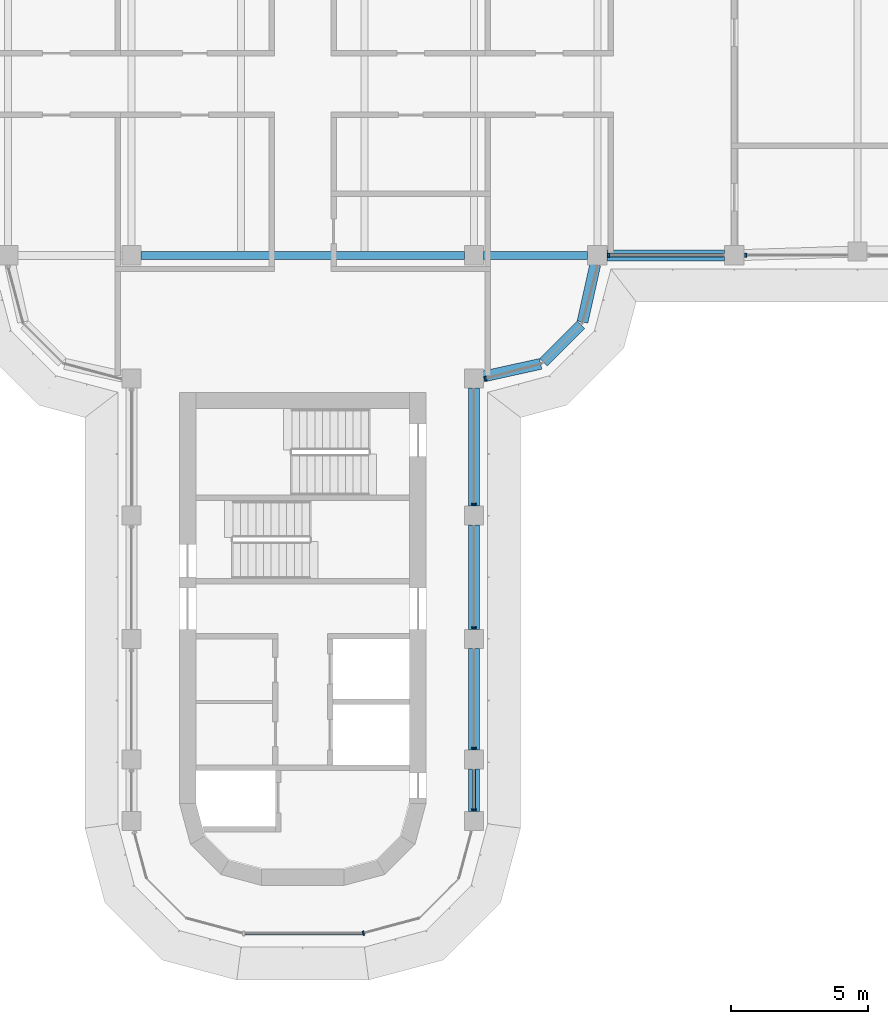
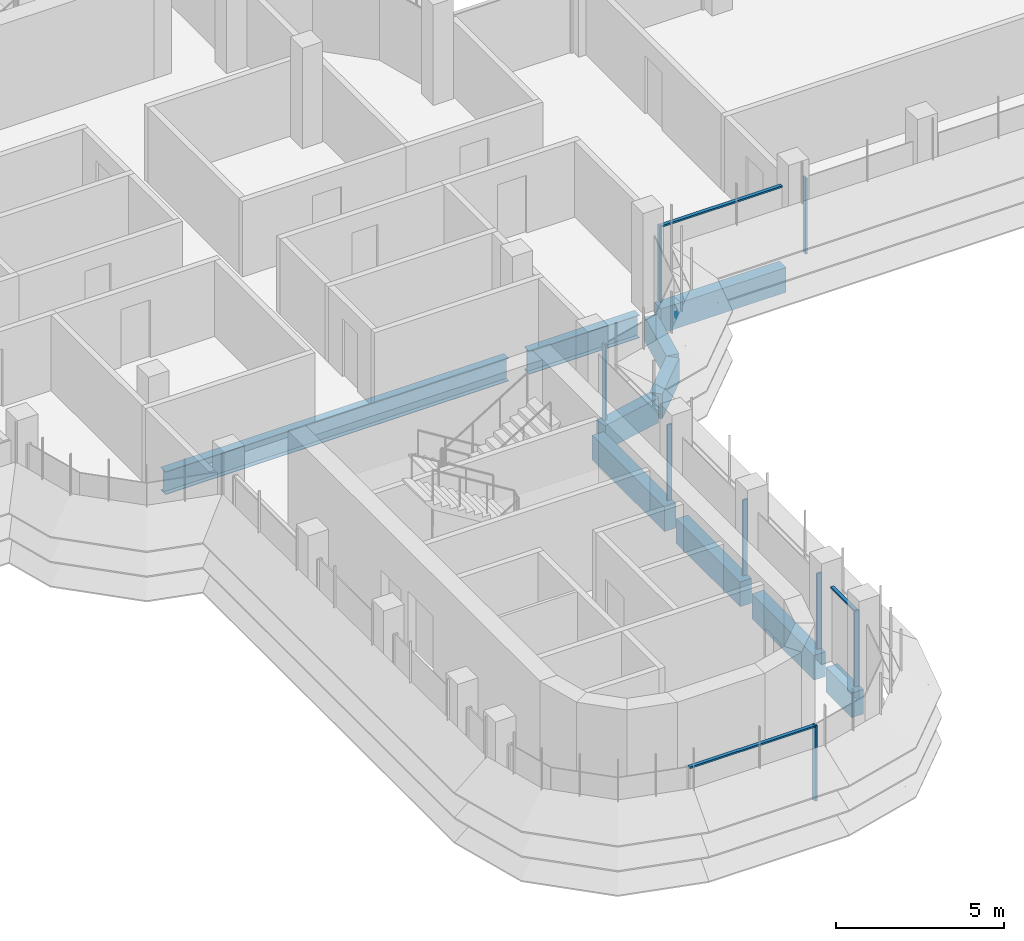
# One storey, part 4 of 19: 11 members, 10 beams, 5 elements without a shape of their own.
"""IFC4 building model written with IfcOpenShell, lengths in metres."""

from ifc_helpers import new_model, si_unit, direction, frame, origin, origin_2d, place, context, subcontext, project, spatial, polyline, rectangle, i_section, outline, extrude, source, transform, mapped, material, material_profile, profile_set, type_object, element, aggregate, save


model = new_model("IFC4")

# Units and contexts
model_context = context("Model", 3, precision=1e-05, world=origin(), true_north=direction((0.0, 1.0)))
body_context = subcontext(model_context, "Body", "Model", "MODEL_VIEW")
ifc_project = project(units=[si_unit("LENGTHUNIT", "METRE"), si_unit("AREAUNIT", "SQUARE_METRE"), si_unit("VOLUMEUNIT", "CUBIC_METRE"), si_unit("PLANEANGLEUNIT", "RADIAN"), si_unit("MASSUNIT", "GRAM", prefix="KILO")], contexts=[model_context])

# Site, building, storey
site_placement = place(None, origin())
site = spatial("IfcSite", under=ifc_project, at=site_placement, CompositionType="ELEMENT")
building_placement = place(site_placement, origin())
building = spatial("IfcBuilding", under=site, at=building_placement, Name="Zarbagh Exchange Tower", CompositionType="ELEMENT")
storey_placement = place(building_placement, frame((0.0, 0.0, 225.800048828125)))
storey = spatial("IfcBuildingStorey", under=building, at=storey_placement, Name="L55", CompositionType="ELEMENT", Elevation=225.800048828125)

# Beams
ifc_material_1 = material(Name="Steel ASTM A992 Gr 50", Category="steel")
ifc_material_profile_1 = material_profile(ifc_material_1, i_section(OverallWidth=0.2919921875, OverallDepth=0.835693359375, WebThickness=0.013916015625, FlangeThickness=0.018798828125, at=origin_2d()), Name="W33X118")
ifc_profile_set_1 = profile_set([ifc_material_profile_1], Name="Steel ASTM A992 Gr 50")
beam_type_1 = type_object("IfcBeamType", Name="Floor girder W33X118", PredefinedType="BEAM", material=ifc_profile_set_1)
beam_1_placement = place(storey_placement, frame((-5.89990234375, -6.25, -0.56787109375), z_axis=(1.0, 0.0, 0.0), x_axis=(0.0, 1.0, 0.0)))
element("IfcBeam", 1, at=beam_1_placement, inside=storey, type_object=beam_type_1, Name="Steel girder", PredefinedType="BEAM", context=body_context, shape_type="SweptSolid", body=[
    extrude(i_section(OverallWidth=0.2919921875, OverallDepth=0.835693359375, WebThickness=0.013916015625, FlangeThickness=0.018798828125, at=origin_2d()), origin(), (0.0, 0.0, 1.0), 11.7998046875),
])
beam_2_placement = place(storey_placement, frame((6.60009765625, -6.25, -0.56787109375), z_axis=(1.0, 0.0, 0.0), x_axis=(0.0, 1.0, 0.0)))
element("IfcBeam", 2, at=beam_2_placement, inside=storey, type_object=beam_type_1, Name="Steel girder", PredefinedType="BEAM", context=body_context, shape_type="SweptSolid", body=[
    extrude(i_section(OverallWidth=0.2919921875, OverallDepth=0.835693359375, WebThickness=0.013916015625, FlangeThickness=0.018798828125, at=origin_2d()), origin(), (0.0, 0.0, 1.0), 3.7998046875),
])
ifc_material_2 = material(Name="Concrete C50/60", Category="concrete")
ifc_material_profile_2 = material_profile(ifc_material_2, rectangle(XDim=0.39990234375, YDim=0.89990234375, at=origin_2d()), Name="RC spandrel beam 400 x 900 C50/60")
ifc_profile_set_2 = profile_set([ifc_material_profile_2], Name="Concrete C50/60")
beam_type_2 = type_object("IfcBeamType", Name="RC spandrel beam 400 x 900 C50/60", PredefinedType="SPANDREL", material=ifc_profile_set_2)
beam_3_placement = place(storey_placement, frame((15.39990234375, -6.25, -0.60009765625), z_axis=(-1.0, 0.0, 0.0), x_axis=(0.0, -1.0, 0.0)))
element("IfcBeam", 3, at=beam_3_placement, inside=storey, type_object=beam_type_2, Name="RC spandrel beam", PredefinedType="SPANDREL", context=body_context, shape_type="SweptSolid", body=[
    extrude(rectangle(XDim=0.39990234375, YDim=0.89990234375, at=origin_2d()), origin(), (0.0, 0.0, 1.0), 4.2998046875),
])
beam_4_placement = place(storey_placement, frame((10.67431640625, -6.591796875, -0.60009765625), z_axis=(-0.216013551096, -0.97639036545, 0.0), x_axis=(0.97639036545, -0.216013551096, 0.0)))
element("IfcBeam", 4, at=beam_4_placement, inside=storey, type_object=beam_type_2, Name="RC spandrel beam", PredefinedType="SPANDREL", context=body_context, shape_type="SweptSolid", body=[
    extrude(rectangle(XDim=0.39990234375, YDim=0.89990234375, at=origin_2d()), origin(), (0.0, 0.0, 1.0), 2.142822265625),
])
beam_5_placement = place(storey_placement, frame((10.15771484375, -8.782470703125, -0.60009765625), z_axis=(-0.707106781187, -0.707106781187, 0.0), x_axis=(0.707106781187, -0.707106781187, 0.0)))
element("IfcBeam", 5, at=beam_5_placement, inside=storey, type_object=beam_type_2, Name="RC spandrel beam", PredefinedType="SPANDREL", context=body_context, shape_type="SweptSolid", body=[
    extrude(rectangle(XDim=0.39990234375, YDim=0.89990234375, at=origin_2d()), origin(), (0.0, 0.0, 1.0), 1.94482421875),
])
beam_6_placement = place(storey_placement, frame((8.68408203125, -10.21142578125, -0.60009765625), z_axis=(-0.97639036545, -0.216013551096, 0.0), x_axis=(0.216013551096, -0.97639036545, 0.0)))
element("IfcBeam", 6, at=beam_6_placement, inside=storey, type_object=beam_type_2, Name="RC spandrel beam", PredefinedType="SPANDREL", context=body_context, shape_type="SweptSolid", body=[
    extrude(rectangle(XDim=0.39990234375, YDim=0.89990234375, at=origin_2d()), origin(), (0.0, 0.0, 1.0), 2.142822265625),
])
beam_7_placement = place(storey_placement, frame((6.25, -11.10009765625, -0.60009765625), z_axis=(0.0, -1.0, 0.0), x_axis=(1.0, 0.0, 0.0)))
element("IfcBeam", 7, at=beam_7_placement, inside=storey, type_object=beam_type_2, Name="RC spandrel beam", PredefinedType="SPANDREL", context=body_context, shape_type="SweptSolid", body=[
    extrude(rectangle(XDim=0.39990234375, YDim=0.89990234375, at=origin_2d()), origin(), (0.0, 0.0, 1.0), 4.2998046875),
])
beam_8_placement = place(storey_placement, frame((6.25, -16.10009765625, -0.60009765625), z_axis=(0.0, -1.0, 0.0), x_axis=(1.0, 0.0, 0.0)))
element("IfcBeam", 8, at=beam_8_placement, inside=storey, type_object=beam_type_2, Name="RC spandrel beam", PredefinedType="SPANDREL", context=body_context, shape_type="SweptSolid", body=[
    extrude(rectangle(XDim=0.39990234375, YDim=0.89990234375, at=origin_2d()), origin(), (0.0, 0.0, 1.0), 3.7998046875),
])
beam_9_placement = place(storey_placement, frame((6.25, -20.60009765625, -0.60009765625), z_axis=(0.0, -1.0, 0.0), x_axis=(1.0, 0.0, 0.0)))
element("IfcBeam", 9, at=beam_9_placement, inside=storey, type_object=beam_type_2, Name="RC spandrel beam", PredefinedType="SPANDREL", context=body_context, shape_type="SweptSolid", body=[
    extrude(rectangle(XDim=0.39990234375, YDim=0.89990234375, at=origin_2d()), origin(), (0.0, 0.0, 1.0), 3.699951171875),
])
beam_10_placement = place(storey_placement, frame((6.25, -25.0, -0.60009765625), z_axis=(0.0, -1.0, 0.0), x_axis=(1.0, 0.0, 0.0)))
element("IfcBeam", 10, at=beam_10_placement, inside=storey, type_object=beam_type_2, Name="RC spandrel beam", PredefinedType="SPANDREL", context=body_context, shape_type="SweptSolid", body=[
    extrude(rectangle(XDim=0.39990234375, YDim=0.89990234375, at=origin_2d()), origin(), (0.0, 0.0, 1.0), 1.550048828125),
])

# Curtain wall, member
ifc_material_3 = material(Name="Anodised aluminium frame and glazing", Category="aluminium")
curtain_wall_type = type_object("IfcCurtainWallType", Name="CWB Ribbon glazing, upper zones", PredefinedType="NOTDEFINED", material=ifc_material_3)
curtain_wall_1_placement = place(storey_placement, origin())
curtain_wall_1 = element("IfcCurtainWall", 11, at=curtain_wall_1_placement, inside=storey, type_object=curtain_wall_type, Name="CWB49 curtain wall", PredefinedType="NOTDEFINED")
ifc_material_4 = material(Name="Anodised aluminium frame", Category="aluminium")
member_type_1 = type_object("IfcMemberType", Name="MUB Mullion, anodised aluminium frame", PredefinedType="MULLION", material=ifc_material_4)
shared_shape_1 = source(origin(), body_context, "Body", "SweptSolid", [
    extrude(outline(polyline([(0.0, -0.080078125), (0.06005859375, -0.080078125), (0.06005859375, 0.080078125), (0.0, 0.080078125), (0.0, -0.080078125)])), origin(), (0.0, 0.0, 1.0), 2.75),
])
placement = place(storey_placement, origin())
member_1 = element("IfcMember", 12, at=placement, type_object=member_type_1, Name="CWB49 mullion 1.1", PredefinedType="MULLION", context=body_context, shape_type="MappedRepresentation", body=[
    mapped(shared_shape_1, transform((2.18408203125, -31.0, 0.0), x_axis=(0.965924289636, 0.258824779902, 0.0), y_axis=(-0.258824779902, 0.965924289636, 0.0), z_axis=(0.0, 0.0, 1.0))),
])
aggregate(curtain_wall_1, [member_1])

# Curtain wall, members
curtain_wall_2_placement = place(storey_placement, origin())
curtain_wall_2 = element("IfcCurtainWall", 13, at=curtain_wall_2_placement, inside=storey, type_object=curtain_wall_type, Name="CWB52 curtain wall", PredefinedType="NOTDEFINED")
member_2 = element("IfcMember", 14, at=placement, type_object=member_type_1, Name="CWB52 mullion 1.1", PredefinedType="MULLION", context=body_context, shape_type="MappedRepresentation", body=[
    mapped(shared_shape_1, transform((6.25, -26.510009765625, 0.0), x_axis=(0.0, 1.0, 0.0), y_axis=(-1.0, 0.0, 0.0), z_axis=(0.0, 0.0, 1.0))),
])
member_3 = element("IfcMember", 15, at=placement, type_object=member_type_1, Name="CWB52 mullion 2.1", PredefinedType="MULLION", context=body_context, shape_type="MappedRepresentation", body=[
    mapped(shared_shape_1, transform((6.25, -24.260009765625, 0.0), x_axis=(0.0, 1.0, 0.0), y_axis=(-1.0, 0.0, 0.0), z_axis=(0.0, 0.0, 1.0))),
])
member_4 = element("IfcMember", 16, at=placement, type_object=member_type_1, Name="CWB52 mullion 3.1", PredefinedType="MULLION", context=body_context, shape_type="MappedRepresentation", body=[
    mapped(shared_shape_1, transform((6.25, -19.85986328125, 0.0), x_axis=(0.0, 1.0, 0.0), y_axis=(-1.0, 0.0, 0.0), z_axis=(0.0, 0.0, 1.0))),
])
member_5 = element("IfcMember", 17, at=placement, type_object=member_type_1, Name="CWB52 mullion 4.1", PredefinedType="MULLION", context=body_context, shape_type="MappedRepresentation", body=[
    mapped(shared_shape_1, transform((6.25, -15.35986328125, 0.0), x_axis=(0.0, 1.0, 0.0), y_axis=(-1.0, 0.0, 0.0), z_axis=(0.0, 0.0, 1.0))),
])

# Curtain wall, member
curtain_wall_3_placement = place(storey_placement, origin())
curtain_wall_3 = element("IfcCurtainWall", 18, at=curtain_wall_3_placement, inside=storey, type_object=curtain_wall_type, Name="CWB05 curtain wall", PredefinedType="NOTDEFINED")
member_6 = element("IfcMember", 19, at=placement, type_object=member_type_1, Name="CWB05 mullion 1.1", PredefinedType="MULLION", context=body_context, shape_type="MappedRepresentation", body=[
    mapped(shared_shape_1, transform((6.64013671875, -10.76171875, 0.0), x_axis=(0.965924289636, 0.258824779902, 0.0), y_axis=(-0.258824779902, 0.965924289636, 0.0), z_axis=(0.0, 0.0, 1.0))),
])
aggregate(curtain_wall_3, [member_6])

# Curtain wall, members
curtain_wall_4_placement = place(storey_placement, origin())
curtain_wall_4 = element("IfcCurtainWall", 20, at=curtain_wall_4_placement, inside=storey, type_object=curtain_wall_type, Name="CWB08 curtain wall", PredefinedType="NOTDEFINED")
member_7 = element("IfcMember", 21, at=placement, type_object=member_type_1, Name="CWB08 mullion 1.1", PredefinedType="MULLION", context=body_context, shape_type="MappedRepresentation", body=[
    mapped(shared_shape_1, transform((11.14013671875, -6.25, 0.0), x_axis=(1.0, 0.0, 0.0), y_axis=(0.0, 1.0, 0.0), z_axis=(0.0, 0.0, 1.0))),
])
member_8 = element("IfcMember", 22, at=placement, type_object=member_type_1, Name="CWB08 mullion 2.1", PredefinedType="MULLION", context=body_context, shape_type="MappedRepresentation", body=[
    mapped(shared_shape_1, transform((16.14013671875, -6.25, 0.0), x_axis=(1.0, 0.0, 0.0), y_axis=(0.0, 1.0, 0.0), z_axis=(0.0, 0.0, 1.0))),
])

# Curtain wall, member
curtain_wall_5_placement = place(storey_placement, origin())
curtain_wall_5 = element("IfcCurtainWall", 23, at=curtain_wall_5_placement, inside=storey, type_object=curtain_wall_type, Name="CWB57 curtain wall", PredefinedType="NOTDEFINED")
member_type_2 = type_object("IfcMemberType", Name="TRB Transom, anodised aluminium frame", PredefinedType="USERDEFINED", material=ifc_material_4)
shared_shape_2 = source(origin(), body_context, "Body", "SweptSolid", [
    extrude(outline(polyline([(-0.06005859375, -0.06005859375), (0.0, -0.06005859375), (0.0, 0.06005859375), (-0.06005859375, 0.06005859375), (-0.06005859375, -0.06005859375)])), origin(), (0.0, 0.0, 1.0), 4.308349609375),
])
member_9 = element("IfcMember", 24, at=placement, type_object=member_type_2, Name="CWB57 transom 1.1", ObjectType="TRANSOM", PredefinedType="USERDEFINED", context=body_context, shape_type="MappedRepresentation", body=[
    mapped(shared_shape_2, transform((-2.124267578125, -31.0, 2.75), x_axis=(0.0, 0.0, 1.0), y_axis=(0.0, -1.0, 0.0), z_axis=(1.0, 0.0, 0.0))),
])
aggregate(curtain_wall_5, [member_9])

# Member
shared_shape_3 = source(origin(), body_context, "Body", "SweptSolid", [
    extrude(outline(polyline([(-0.06005859375, -0.06005859375), (0.0, -0.06005859375), (0.0, 0.06005859375), (-0.06005859375, 0.06005859375), (-0.06005859375, -0.06005859375)])), origin(), (0.0, 0.0, 1.0), 1.409912109375),
])
member_10 = element("IfcMember", 25, at=placement, type_object=member_type_2, Name="CWB52 transom 1.1", ObjectType="TRANSOM", PredefinedType="USERDEFINED", context=body_context, shape_type="MappedRepresentation", body=[
    mapped(shared_shape_3, transform((6.25, -26.449951171875, 2.75), x_axis=(0.0, 0.0, 1.0), y_axis=(1.0, 0.0, 0.0), z_axis=(0.0, 1.0, 0.0))),
])

aggregate(curtain_wall_2, [member_2, member_10, member_3, member_4, member_5])

shared_shape_4 = source(origin(), body_context, "Body", "SweptSolid", [
    extrude(outline(polyline([(-0.06005859375, -0.06005859375), (0.0, -0.06005859375), (0.0, 0.06005859375), (-0.06005859375, 0.06005859375), (-0.06005859375, -0.06005859375)])), origin(), (0.0, 0.0, 1.0), 4.159912109375),
])
member_11 = element("IfcMember", 26, at=placement, type_object=member_type_2, Name="CWB08 transom 1.1", ObjectType="TRANSOM", PredefinedType="USERDEFINED", context=body_context, shape_type="MappedRepresentation", body=[
    mapped(shared_shape_4, transform((11.199951171875, -6.25, 2.75), x_axis=(0.0, 0.0, 1.0), y_axis=(0.0, -1.0, 0.0), z_axis=(1.0, 0.0, 0.0))),
])

aggregate(curtain_wall_4, [member_7, member_11, member_8])

save(model, "model.ifc")
